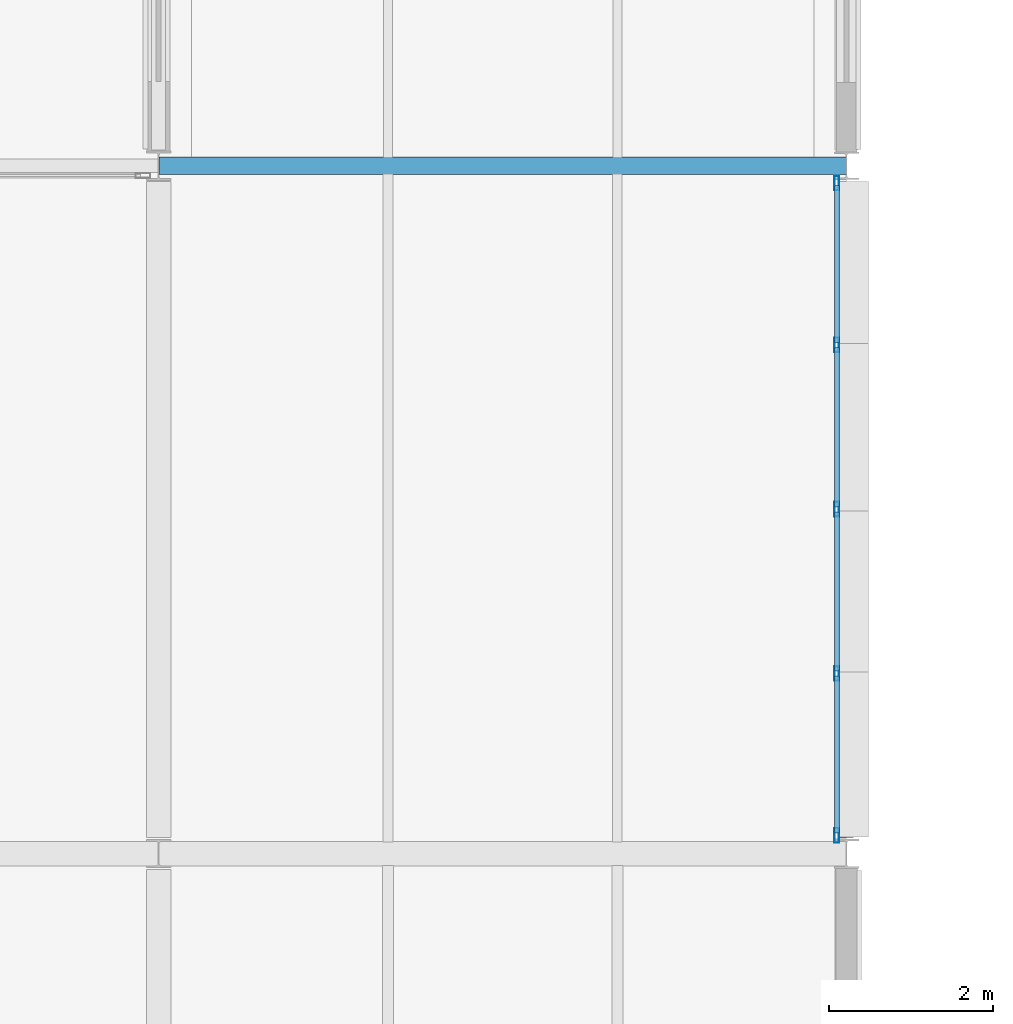
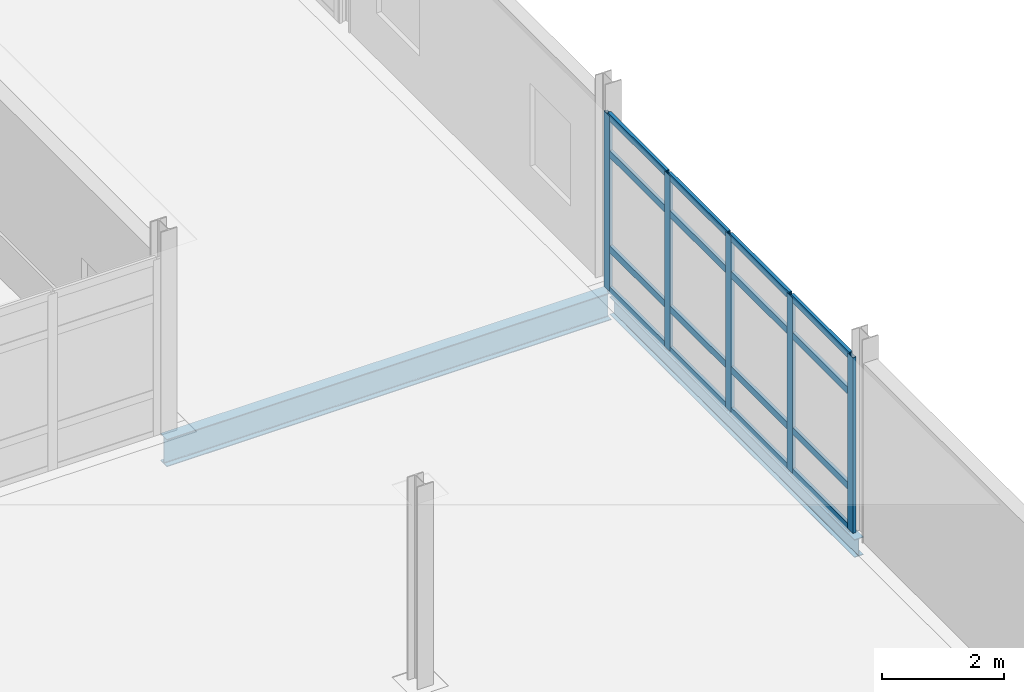
# One storey, part 64 of 103: 21 members, 2 beams, 1 element without a shape of its own.
"""IFC4 building model written with IfcOpenShell, lengths in metres."""

from ifc_helpers import new_model, si_unit, direction, frame, origin, origin_2d, place, context, subcontext, project, spatial, hollow_rectangle, i_section, extrude, material, material_profile, profile_set, type_object, element, aggregate, save


model = new_model("IFC4")

# Units and contexts
model_context = context("Model", 3, precision=1e-05, world=origin(), true_north=direction((0.0, 1.0)))
body_context = subcontext(model_context, "Body", "Model", "MODEL_VIEW")
ifc_project = project(units=[si_unit("LENGTHUNIT", "METRE"), si_unit("AREAUNIT", "SQUARE_METRE"), si_unit("VOLUMEUNIT", "CUBIC_METRE"), si_unit("PLANEANGLEUNIT", "RADIAN"), si_unit("MASSUNIT", "GRAM", prefix="KILO")], contexts=[model_context])

# Site, building, storey
site_placement = place(None, origin())
site = spatial("IfcSite", under=ifc_project, at=site_placement, CompositionType="ELEMENT")
building_placement = place(site_placement, origin())
building = spatial("IfcBuilding", under=site, at=building_placement, Name="Mersafa Astral City Hall", CompositionType="ELEMENT")
storey_placement = place(building_placement, frame((0.0, 0.0, 18.0)))
storey = spatial("IfcBuildingStorey", under=building, at=storey_placement, Name="L04", CompositionType="ELEMENT", Elevation=18.0)

# Curtain wall, members
ifc_material_1 = material(Name="Anodised bronze aluminium framing", Category="aluminium")
curtain_wall_type = type_object("IfcCurtainWallType", Name="ENV-CW-6", PredefinedType="USERDEFINED", material=ifc_material_1)
curtain_wall_placement = place(storey_placement, origin())
curtain_wall = element("IfcCurtainWall", 1, at=curtain_wall_placement, inside=storey, type_object=curtain_wall_type, Name="L04 Unitised solar curtain wall 191", ObjectType="UNITISED CURTAIN WALL", PredefinedType="USERDEFINED")
ifc_material_profile_1 = material_profile(ifc_material_1, hollow_rectangle(XDim=0.06005859375, YDim=0.179931640625, WallThickness=0.00390625, at=origin_2d()), Name="RHS 60x180x4")
ifc_profile_set_1 = profile_set([ifc_material_profile_1], Name="Anodised bronze aluminium framing")
member_type_1 = type_object("IfcMemberType", Name="ENV-CW-MUL-1", PredefinedType="MULLION", material=ifc_profile_set_1)
member_1_placement = place(storey_placement, frame((176.280029296875, 75.822021484375, -0.001953125), z_axis=(0.0, 0.0, 1.0), x_axis=(-1.0, 0.0, 0.0)))
member_1 = element("IfcMember", 2, at=member_1_placement, type_object=member_type_1, Name="CW-6 mullion 1", PredefinedType="MULLION", context=body_context, shape_type="SweptSolid", body=[
    extrude(hollow_rectangle(XDim=0.06005859375, YDim=0.179931640625, WallThickness=0.00390625, at=origin_2d()), origin(), (0.0, 0.0, 1.0), 3.509033203125),
])
member_2_placement = place(storey_placement, frame((176.280029296875, 77.798583984375, -0.001953125), z_axis=(0.0, 0.0, 1.0), x_axis=(-1.0, 0.0, 0.0)))
member_2 = element("IfcMember", 3, at=member_2_placement, type_object=member_type_1, Name="CW-6 mullion 2", PredefinedType="MULLION", context=body_context, shape_type="SweptSolid", body=[
    extrude(hollow_rectangle(XDim=0.06005859375, YDim=0.179931640625, WallThickness=0.00390625, at=origin_2d()), origin(), (0.0, 0.0, 1.0), 3.509033203125),
])
member_3_placement = place(storey_placement, frame((176.280029296875, 79.804931640625, -0.001953125), z_axis=(0.0, 0.0, 1.0), x_axis=(-1.0, 0.0, 0.0)))
member_3 = element("IfcMember", 4, at=member_3_placement, type_object=member_type_1, Name="CW-6 mullion 3", PredefinedType="MULLION", context=body_context, shape_type="SweptSolid", body=[
    extrude(hollow_rectangle(XDim=0.06005859375, YDim=0.179931640625, WallThickness=0.00390625, at=origin_2d()), origin(), (0.0, 0.0, 1.0), 3.509033203125),
])
member_4_placement = place(storey_placement, frame((176.280029296875, 81.8115234375, -0.001953125), z_axis=(0.0, 0.0, 1.0), x_axis=(-1.0, 0.0, 0.0)))
member_4 = element("IfcMember", 5, at=member_4_placement, type_object=member_type_1, Name="CW-6 mullion 4", PredefinedType="MULLION", context=body_context, shape_type="SweptSolid", body=[
    extrude(hollow_rectangle(XDim=0.06005859375, YDim=0.179931640625, WallThickness=0.00390625, at=origin_2d()), origin(), (0.0, 0.0, 1.0), 3.509033203125),
])
member_5_placement = place(storey_placement, frame((176.280029296875, 83.7880859375, -0.001953125), z_axis=(0.0, 0.0, 1.0), x_axis=(-1.0, 0.0, 0.0)))
member_5 = element("IfcMember", 6, at=member_5_placement, type_object=member_type_1, Name="CW-6 mullion 5", PredefinedType="MULLION", context=body_context, shape_type="SweptSolid", body=[
    extrude(hollow_rectangle(XDim=0.06005859375, YDim=0.179931640625, WallThickness=0.00390625, at=origin_2d()), origin(), (0.0, 0.0, 1.0), 3.509033203125),
])
ifc_material_profile_2 = material_profile(ifc_material_1, hollow_rectangle(XDim=0.06005859375, YDim=0.139892578125, WallThickness=0.00390625, at=origin_2d()), Name="RHS 60x140x4")
ifc_profile_set_2 = profile_set([ifc_material_profile_2], Name="Anodised bronze aluminium framing")
member_type_2 = type_object("IfcMemberType", Name="ENV-CW-TRN-1", PredefinedType="USERDEFINED", material=ifc_profile_set_2)
member_6_placement = place(storey_placement, frame((176.280029296875, 75.85205078125, 0.028076171875), z_axis=(0.0, 1.0, 0.0), x_axis=(-1.0, 0.0, 0.0)))
member_6 = element("IfcMember", 7, at=member_6_placement, type_object=member_type_2, Name="CW-6 transom 1.1", ObjectType="TRANSOM", PredefinedType="USERDEFINED", context=body_context, shape_type="SweptSolid", body=[
    extrude(hollow_rectangle(XDim=0.06005859375, YDim=0.139892578125, WallThickness=0.00390625, at=origin_2d()), origin(), (0.0, 0.0, 1.0), 1.91650390625),
])
member_7_placement = place(storey_placement, frame((176.280029296875, 75.85205078125, 0.85009765625), z_axis=(0.0, 1.0, 0.0), x_axis=(-1.0, 0.0, 0.0)))
member_7 = element("IfcMember", 8, at=member_7_placement, type_object=member_type_2, Name="CW-6 transom 1.2", ObjectType="TRANSOM", PredefinedType="USERDEFINED", context=body_context, shape_type="SweptSolid", body=[
    extrude(hollow_rectangle(XDim=0.06005859375, YDim=0.139892578125, WallThickness=0.00390625, at=origin_2d()), origin(), (0.0, 0.0, 1.0), 1.91650390625),
])
member_8_placement = place(storey_placement, frame((176.280029296875, 75.85205078125, 2.75), z_axis=(0.0, 1.0, 0.0), x_axis=(-1.0, 0.0, 0.0)))
member_8 = element("IfcMember", 9, at=member_8_placement, type_object=member_type_2, Name="CW-6 transom 1.3", ObjectType="TRANSOM", PredefinedType="USERDEFINED", context=body_context, shape_type="SweptSolid", body=[
    extrude(hollow_rectangle(XDim=0.06005859375, YDim=0.139892578125, WallThickness=0.00390625, at=origin_2d()), origin(), (0.0, 0.0, 1.0), 1.91650390625),
])
member_9_placement = place(storey_placement, frame((176.280029296875, 75.85205078125, 3.47705078125), z_axis=(0.0, 1.0, 0.0), x_axis=(-1.0, 0.0, 0.0)))
member_9 = element("IfcMember", 10, at=member_9_placement, type_object=member_type_2, Name="CW-6 transom 1.4", ObjectType="TRANSOM", PredefinedType="USERDEFINED", context=body_context, shape_type="SweptSolid", body=[
    extrude(hollow_rectangle(XDim=0.06005859375, YDim=0.139892578125, WallThickness=0.00390625, at=origin_2d()), origin(), (0.0, 0.0, 1.0), 1.91650390625),
])
member_10_placement = place(storey_placement, frame((176.280029296875, 77.82861328125, 0.028076171875), z_axis=(0.0, 1.0, 0.0), x_axis=(-1.0, 0.0, 0.0)))
member_10 = element("IfcMember", 11, at=member_10_placement, type_object=member_type_2, Name="CW-6 transom 2.1", ObjectType="TRANSOM", PredefinedType="USERDEFINED", context=body_context, shape_type="SweptSolid", body=[
    extrude(hollow_rectangle(XDim=0.06005859375, YDim=0.139892578125, WallThickness=0.00390625, at=origin_2d()), origin(), (0.0, 0.0, 1.0), 1.9462890625),
])
member_11_placement = place(storey_placement, frame((176.280029296875, 77.82861328125, 0.85009765625), z_axis=(0.0, 1.0, 0.0), x_axis=(-1.0, 0.0, 0.0)))
member_11 = element("IfcMember", 12, at=member_11_placement, type_object=member_type_2, Name="CW-6 transom 2.2", ObjectType="TRANSOM", PredefinedType="USERDEFINED", context=body_context, shape_type="SweptSolid", body=[
    extrude(hollow_rectangle(XDim=0.06005859375, YDim=0.139892578125, WallThickness=0.00390625, at=origin_2d()), origin(), (0.0, 0.0, 1.0), 1.9462890625),
])
member_12_placement = place(storey_placement, frame((176.280029296875, 77.82861328125, 2.75), z_axis=(0.0, 1.0, 0.0), x_axis=(-1.0, 0.0, 0.0)))
member_12 = element("IfcMember", 13, at=member_12_placement, type_object=member_type_2, Name="CW-6 transom 2.3", ObjectType="TRANSOM", PredefinedType="USERDEFINED", context=body_context, shape_type="SweptSolid", body=[
    extrude(hollow_rectangle(XDim=0.06005859375, YDim=0.139892578125, WallThickness=0.00390625, at=origin_2d()), origin(), (0.0, 0.0, 1.0), 1.9462890625),
])
member_13_placement = place(storey_placement, frame((176.280029296875, 77.82861328125, 3.47705078125), z_axis=(0.0, 1.0, 0.0), x_axis=(-1.0, 0.0, 0.0)))
member_13 = element("IfcMember", 14, at=member_13_placement, type_object=member_type_2, Name="CW-6 transom 2.4", ObjectType="TRANSOM", PredefinedType="USERDEFINED", context=body_context, shape_type="SweptSolid", body=[
    extrude(hollow_rectangle(XDim=0.06005859375, YDim=0.139892578125, WallThickness=0.00390625, at=origin_2d()), origin(), (0.0, 0.0, 1.0), 1.9462890625),
])
member_14_placement = place(storey_placement, frame((176.280029296875, 79.8349609375, 0.028076171875), z_axis=(0.0, 1.0, 0.0), x_axis=(-1.0, 0.0, 0.0)))
member_14 = element("IfcMember", 15, at=member_14_placement, type_object=member_type_2, Name="CW-6 transom 3.1", ObjectType="TRANSOM", PredefinedType="USERDEFINED", context=body_context, shape_type="SweptSolid", body=[
    extrude(hollow_rectangle(XDim=0.06005859375, YDim=0.139892578125, WallThickness=0.00390625, at=origin_2d()), origin(), (0.0, 0.0, 1.0), 1.946533203125),
])
member_15_placement = place(storey_placement, frame((176.280029296875, 79.8349609375, 0.85009765625), z_axis=(0.0, 1.0, 0.0), x_axis=(-1.0, 0.0, 0.0)))
member_15 = element("IfcMember", 16, at=member_15_placement, type_object=member_type_2, Name="CW-6 transom 3.2", ObjectType="TRANSOM", PredefinedType="USERDEFINED", context=body_context, shape_type="SweptSolid", body=[
    extrude(hollow_rectangle(XDim=0.06005859375, YDim=0.139892578125, WallThickness=0.00390625, at=origin_2d()), origin(), (0.0, 0.0, 1.0), 1.946533203125),
])
member_16_placement = place(storey_placement, frame((176.280029296875, 79.8349609375, 2.75), z_axis=(0.0, 1.0, 0.0), x_axis=(-1.0, 0.0, 0.0)))
member_16 = element("IfcMember", 17, at=member_16_placement, type_object=member_type_2, Name="CW-6 transom 3.3", ObjectType="TRANSOM", PredefinedType="USERDEFINED", context=body_context, shape_type="SweptSolid", body=[
    extrude(hollow_rectangle(XDim=0.06005859375, YDim=0.139892578125, WallThickness=0.00390625, at=origin_2d()), origin(), (0.0, 0.0, 1.0), 1.946533203125),
])
member_17_placement = place(storey_placement, frame((176.280029296875, 79.8349609375, 3.47705078125), z_axis=(0.0, 1.0, 0.0), x_axis=(-1.0, 0.0, 0.0)))
member_17 = element("IfcMember", 18, at=member_17_placement, type_object=member_type_2, Name="CW-6 transom 3.4", ObjectType="TRANSOM", PredefinedType="USERDEFINED", context=body_context, shape_type="SweptSolid", body=[
    extrude(hollow_rectangle(XDim=0.06005859375, YDim=0.139892578125, WallThickness=0.00390625, at=origin_2d()), origin(), (0.0, 0.0, 1.0), 1.946533203125),
])
member_18_placement = place(storey_placement, frame((176.280029296875, 81.841552734375, 0.028076171875), z_axis=(0.0, 1.0, 0.0), x_axis=(-1.0, 0.0, 0.0)))
member_18 = element("IfcMember", 19, at=member_18_placement, type_object=member_type_2, Name="CW-6 transom 4.1", ObjectType="TRANSOM", PredefinedType="USERDEFINED", context=body_context, shape_type="SweptSolid", body=[
    extrude(hollow_rectangle(XDim=0.06005859375, YDim=0.139892578125, WallThickness=0.00390625, at=origin_2d()), origin(), (0.0, 0.0, 1.0), 1.91650390625),
])
member_19_placement = place(storey_placement, frame((176.280029296875, 81.841552734375, 0.85009765625), z_axis=(0.0, 1.0, 0.0), x_axis=(-1.0, 0.0, 0.0)))
member_19 = element("IfcMember", 20, at=member_19_placement, type_object=member_type_2, Name="CW-6 transom 4.2", ObjectType="TRANSOM", PredefinedType="USERDEFINED", context=body_context, shape_type="SweptSolid", body=[
    extrude(hollow_rectangle(XDim=0.06005859375, YDim=0.139892578125, WallThickness=0.00390625, at=origin_2d()), origin(), (0.0, 0.0, 1.0), 1.91650390625),
])
member_20_placement = place(storey_placement, frame((176.280029296875, 81.841552734375, 2.75), z_axis=(0.0, 1.0, 0.0), x_axis=(-1.0, 0.0, 0.0)))
member_20 = element("IfcMember", 21, at=member_20_placement, type_object=member_type_2, Name="CW-6 transom 4.3", ObjectType="TRANSOM", PredefinedType="USERDEFINED", context=body_context, shape_type="SweptSolid", body=[
    extrude(hollow_rectangle(XDim=0.06005859375, YDim=0.139892578125, WallThickness=0.00390625, at=origin_2d()), origin(), (0.0, 0.0, 1.0), 1.91650390625),
])
member_21_placement = place(storey_placement, frame((176.280029296875, 81.841552734375, 3.47705078125), z_axis=(0.0, 1.0, 0.0), x_axis=(-1.0, 0.0, 0.0)))
member_21 = element("IfcMember", 22, at=member_21_placement, type_object=member_type_2, Name="CW-6 transom 4.4", ObjectType="TRANSOM", PredefinedType="USERDEFINED", context=body_context, shape_type="SweptSolid", body=[
    extrude(hollow_rectangle(XDim=0.06005859375, YDim=0.139892578125, WallThickness=0.00390625, at=origin_2d()), origin(), (0.0, 0.0, 1.0), 1.91650390625),
])
aggregate(curtain_wall, [member_1, member_2, member_3, member_4, member_5, member_6, member_7, member_8, member_9, member_10, member_11, member_12, member_13, member_14, member_15, member_16, member_17, member_18, member_19, member_20, member_21])

# Beams
ifc_material_2 = material(Name="Steel S355", Category="steel")
ifc_material_profile_3 = material_profile(ifc_material_2, i_section(OverallWidth=0.2099609375, OverallDepth=0.550048828125, WebThickness=0.010986328125, FlangeThickness=0.01708984375, FilletRadius=0.02392578125, at=origin_2d()), Name="IPE 550")
ifc_profile_set_3 = profile_set([ifc_material_profile_3], Name="Steel S355")
beam_type_1 = type_object("IfcBeamType", Name="STR-BM-IPE550", PredefinedType="BEAM", material=ifc_profile_set_3)
beam_1_placement = place(storey_placement, frame((168.0029296875, 84.0, -0.4599609375), z_axis=(1.0, 0.0, 0.0), x_axis=(0.0, 1.0, 0.0)))
element("IfcBeam", 23, at=beam_1_placement, inside=storey, type_object=beam_type_1, Name="L04 Primary girder X 20-10", PredefinedType="BEAM", context=body_context, shape_type="SweptSolid", body=[
    extrude(i_section(OverallWidth=0.2099609375, OverallDepth=0.550048828125, WebThickness=0.010986328125, FlangeThickness=0.01708984375, FilletRadius=0.02392578125, at=origin_2d()), origin(), (0.0, 0.0, 1.0), 8.39404296875),
])
ifc_material_profile_4 = material_profile(ifc_material_2, i_section(OverallWidth=0.169921875, OverallDepth=0.360107421875, WebThickness=0.008056640625, FlangeThickness=0.0126953125, FilletRadius=0.01806640625, at=origin_2d()), Name="IPE 360")
ifc_profile_set_4 = profile_set([ifc_material_profile_4], Name="Steel S355")
beam_type_2 = type_object("IfcBeamType", Name="STR-BM-SPANDREL-IPE360", PredefinedType="SPANDREL", material=ifc_profile_set_4)
beam_2_placement = place(storey_placement, frame((176.39990234375, 75.794921875, -0.364990234375), z_axis=(0.0, 1.0, 0.0), x_axis=(-1.0, 0.0, 0.0)))
element("IfcBeam", 24, at=beam_2_placement, inside=storey, type_object=beam_type_2, Name="L04 Primary girder Y 21-9", PredefinedType="SPANDREL", context=body_context, shape_type="SweptSolid", body=[
    extrude(i_section(OverallWidth=0.169921875, OverallDepth=0.360107421875, WebThickness=0.008056640625, FlangeThickness=0.0126953125, FilletRadius=0.01806640625, at=origin_2d()), origin(), (0.0, 0.0, 1.0), 8.010009765625),
])

save(model, "model.ifc")
